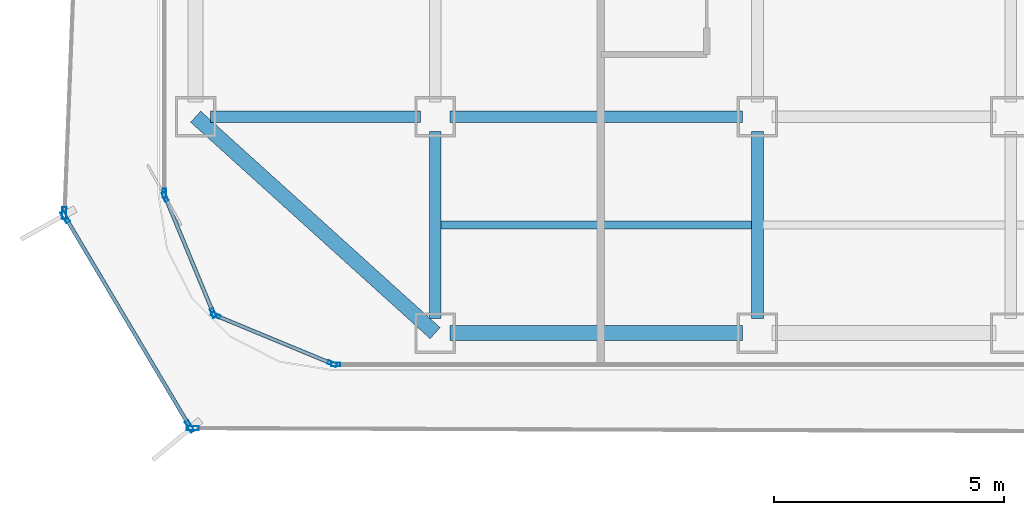
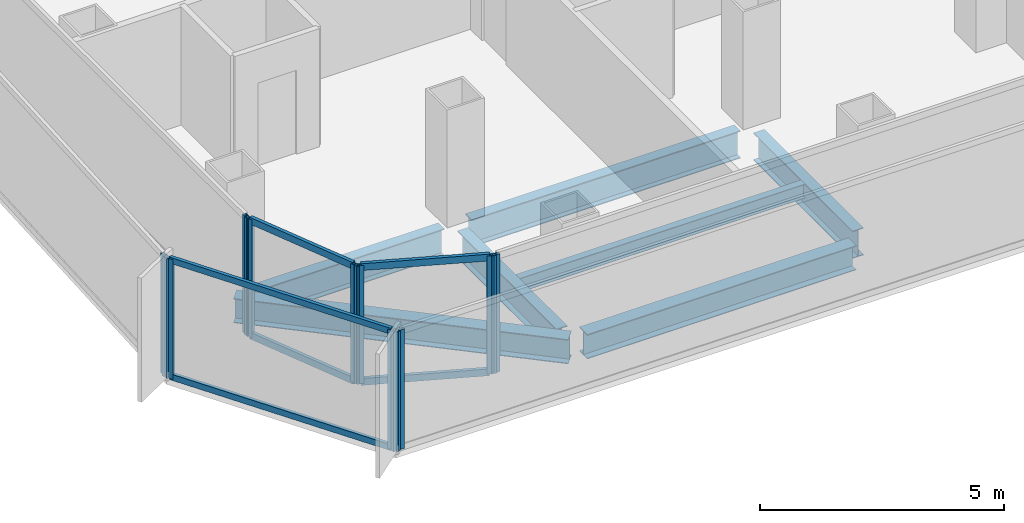
# One storey, part 2 of 21: 16 members, 7 beams, 7 elements without a shape of their own.
"""IFC4 building model written with IfcOpenShell, lengths in metres."""

from ifc_helpers import new_model, si_unit, direction, frame, origin, origin_2d, place, context, subcontext, project, spatial, hollow_rectangle, i_section, extrude, source, transform, mapped, material, layer, layer_set, material_profile, profile_set, type_object, element, aggregate, save


model = new_model("IFC4")

# Units and contexts
model_context = context("Model", 3, precision=1e-05, world=origin(), true_north=direction((0.0, 1.0)))
body_context = subcontext(model_context, "Body", "Model", "MODEL_VIEW")
ifc_project = project(units=[si_unit("LENGTHUNIT", "METRE"), si_unit("AREAUNIT", "SQUARE_METRE"), si_unit("VOLUMEUNIT", "CUBIC_METRE"), si_unit("PLANEANGLEUNIT", "RADIAN"), si_unit("MASSUNIT", "GRAM", prefix="KILO")], contexts=[model_context])

# Site, building, storey
site_placement = place(None, origin())
site = spatial("IfcSite", under=ifc_project, at=site_placement, CompositionType="ELEMENT")
building_placement = place(site_placement, origin())
building = spatial("IfcBuilding", under=site, at=building_placement, Name="Kolveth Station Tower", CompositionType="ELEMENT")
storey_placement = place(building_placement, frame((0.0, 0.0, 124.699951171875)))
storey = spatial("IfcBuildingStorey", under=building, at=storey_placement, Name="L34", CompositionType="ELEMENT", Elevation=124.699951171875)

# Beams
ifc_material_1 = material(Name="Steel S355", Category="steel")
ifc_material_profile_1 = material_profile(ifc_material_1, i_section(OverallWidth=0.323974609375, OverallDepth=0.611083984375, WebThickness=0.0126953125, FlangeThickness=0.01904296875, at=origin_2d()), Name="W610x155")
ifc_profile_set_1 = profile_set([ifc_material_profile_1], Name="Steel S355")
beam_type_1 = type_object("IfcBeamType", Name="Beam_SP2", PredefinedType="SPANDREL", material=ifc_profile_set_1)
shared_shape_1 = source(origin(), body_context, "Body", "SweptSolid", [
    extrude(i_section(OverallWidth=0.323974609375, OverallDepth=0.611083984375, WebThickness=0.0126953125, FlangeThickness=0.01904296875, at=origin_2d()), origin(), (0.0, 0.0, 1.0), 6.35986328125),
])
beam_1_placement = place(storey_placement, frame((6.320068359375, 0.800048828125, -0.555419921875), z_axis=(1.0, 0.0, 0.0), x_axis=(0.0, 1.0, 0.0)))
element("IfcBeam", 1, at=beam_1_placement, inside=storey, type_object=beam_type_1, Name="L34 Perimeter Spandrel BM-L34-PS-1", PredefinedType="SPANDREL", context=body_context, shape_type="MappedRepresentation", body=[
    mapped(shared_shape_1, transform((0.0, 0.0, 0.0), x_axis=(1.0, 0.0, 0.0), y_axis=(0.0, 1.0, 0.0), z_axis=(0.0, 0.0, 1.0), scale=1.0)),
])
shared_shape_2 = source(origin(), body_context, "Body", "SweptSolid", [
    extrude(i_section(OverallWidth=0.323974609375, OverallDepth=0.611083984375, WebThickness=0.0126953125, FlangeThickness=0.01904296875, at=origin_2d()), origin(), (0.0, 0.0, 1.0), 7.00927734375),
])
beam_2_placement = place(storey_placement, frame((0.800048828125, 5.5, -0.555419921875), z_axis=(0.741874009795, -0.670539300557, 0.0), x_axis=(0.670539300557, 0.741874009795, 0.0)))
element("IfcBeam", 2, at=beam_2_placement, inside=storey, type_object=beam_type_1, Name="L34 Corner Edge Girder BM-L34-CNR-SW", PredefinedType="SPANDREL", context=body_context, shape_type="MappedRepresentation", body=[
    mapped(shared_shape_2, transform((0.0, 0.0, 0.0), x_axis=(1.0, 0.0, 0.0), y_axis=(0.0, 1.0, 0.0), z_axis=(0.0, 0.0, 1.0), scale=1.0)),
])
ifc_material_profile_2 = material_profile(ifc_material_1, i_section(OverallWidth=0.25390625, OverallDepth=0.68798828125, WebThickness=0.01318359375, FlangeThickness=0.02099609375, at=origin_2d()), Name="W690x152")
ifc_profile_set_2 = profile_set([ifc_material_profile_2], Name="Steel S355")
beam_type_2 = type_object("IfcBeamType", Name="Beam_B4", PredefinedType="BEAM", material=ifc_profile_set_2)
shared_shape_3 = source(origin(), body_context, "Body", "SweptSolid", [
    extrude(i_section(OverallWidth=0.25390625, OverallDepth=0.68798828125, WebThickness=0.01318359375, FlangeThickness=0.02099609375, at=origin_2d()), origin(), (0.0, 0.0, 1.0), 4.559814453125),
])
beam_3_placement = place(storey_placement, frame((1.1201171875, 5.5, -0.593994140625), z_axis=(1.0, 0.0, 0.0), x_axis=(0.0, 1.0, 0.0)))
element("IfcBeam", 3, at=beam_3_placement, inside=storey, type_object=beam_type_2, Name="L34 Primary Girder BM-L34-GY55-1", PredefinedType="BEAM", context=body_context, shape_type="MappedRepresentation", body=[
    mapped(shared_shape_3, transform((0.0, 0.0, 0.0), x_axis=(1.0, 0.0, 0.0), y_axis=(0.0, 1.0, 0.0), z_axis=(0.0, 0.0, 1.0), scale=1.0)),
])
shared_shape_4 = source(origin(), body_context, "Body", "SweptSolid", [
    extrude(i_section(OverallWidth=0.25390625, OverallDepth=0.68798828125, WebThickness=0.01318359375, FlangeThickness=0.02099609375, at=origin_2d()), origin(), (0.0, 0.0, 1.0), 6.35986328125),
])
beam_4_placement = place(storey_placement, frame((6.320068359375, 5.5, -0.593994140625), z_axis=(1.0, 0.0, 0.0), x_axis=(0.0, 1.0, 0.0)))
element("IfcBeam", 4, at=beam_4_placement, inside=storey, type_object=beam_type_2, Name="L34 Primary Girder BM-L34-GY55-2", PredefinedType="BEAM", context=body_context, shape_type="MappedRepresentation", body=[
    mapped(shared_shape_4, transform((0.0, 0.0, 0.0), x_axis=(1.0, 0.0, 0.0), y_axis=(0.0, 1.0, 0.0), z_axis=(0.0, 0.0, 1.0), scale=1.0)),
])
shared_shape_5 = source(origin(), body_context, "Body", "SweptSolid", [
    extrude(i_section(OverallWidth=0.25390625, OverallDepth=0.68798828125, WebThickness=0.01318359375, FlangeThickness=0.02099609375, at=origin_2d()), origin(), (0.0, 0.0, 1.0), 4.059814453125),
])
for number, where, z_axis, x_axis, name in (
    (5, (6.0, 1.1201171875, -0.593994140625), (0.0, 1.0, 0.0), (-1.0, 0.0, 0.0), "L34 Primary Girder BM-L34-GX60-1"),
    (6, (13.0, 1.1201171875, -0.593994140625), (0.0, 1.0, 0.0), (-1.0, 0.0, 0.0), "L34 Primary Girder BM-L34-GX130-1"),
):
    element("IfcBeam", number, at=place(storey_placement, frame(where, z_axis=z_axis, x_axis=x_axis)), inside=storey, type_object=beam_type_2, Name=name, PredefinedType="BEAM", context=body_context, shape_type="MappedRepresentation", body=[
        mapped(shared_shape_5, transform((0.0, 0.0, 0.0), x_axis=(1.0, 0.0, 0.0), y_axis=(0.0, 1.0, 0.0), z_axis=(0.0, 0.0, 1.0), scale=1.0)),
    ])
ifc_material_profile_3 = material_profile(ifc_material_1, i_section(OverallWidth=0.1708984375, OverallDepth=0.35205078125, WebThickness=0.0068359375, FlangeThickness=0.009765625, at=origin_2d()), Name="W360x44")
ifc_profile_set_3 = profile_set([ifc_material_profile_3], Name="Steel S355")
beam_type_3 = type_object("IfcBeamType", Name="Beam_J2", PredefinedType="JOIST", material=ifc_profile_set_3)
shared_shape_6 = source(origin(), body_context, "Body", "SweptSolid", [
    extrude(i_section(OverallWidth=0.1708984375, OverallDepth=0.35205078125, WebThickness=0.0068359375, FlangeThickness=0.009765625, at=origin_2d()), origin(), (0.0, 0.0, 1.0), 6.75),
])
beam_5_placement = place(storey_placement, frame((6.125, 3.14990234375, -0.426025390625), z_axis=(1.0, 0.0, 0.0), x_axis=(0.0, 1.0, 0.0)))
element("IfcBeam", 7, at=beam_5_placement, inside=storey, type_object=beam_type_3, Name="L34 Secondary Joist JST-L34-2-1", PredefinedType="JOIST", context=body_context, shape_type="MappedRepresentation", body=[
    mapped(shared_shape_6, transform((0.0, 0.0, 0.0), x_axis=(1.0, 0.0, 0.0), y_axis=(0.0, 1.0, 0.0), z_axis=(0.0, 0.0, 1.0), scale=1.0)),
])

# Curtain wall, member
ifc_material_2 = material(Name="Aluminium 6063-T6 and low-E dark glass", Category="aluminium")
ifc_layer_1 = layer(ifc_material_2, 0.18994140625)
ifc_layer_set_1 = layer_set([ifc_layer_1], Name="Aluminium 6063-T6 and low-E dark glass")
curtain_wall_type_1 = type_object("IfcCurtainWallType", Name="CurtainWall_CW-Z2", PredefinedType="NOTDEFINED", material=ifc_layer_set_1)
curtain_wall_1_placement = place(storey_placement, origin())
curtain_wall_1 = element("IfcCurtainWall", 8, at=curtain_wall_1_placement, inside=storey, type_object=curtain_wall_type_1, Name="L34 Inner Thermal Curtain Wall 9", PredefinedType="NOTDEFINED")
ifc_material_3 = material(Name="Black anodized aluminium 6063-T6", Category="aluminium")
ifc_material_profile_4 = material_profile(ifc_material_3, hollow_rectangle(XDim=0.080078125, YDim=0.199951171875, WallThickness=0.0048828125, at=origin_2d()), Name="ALU-80x200x5")
ifc_profile_set_4 = profile_set([ifc_material_profile_4], Name="Black anodized aluminium 6063-T6")
member_type_1 = type_object("IfcMemberType", Name="Mullion_ML2", PredefinedType="MULLION", material=ifc_profile_set_4)
shared_shape_7 = source(origin(), body_context, "Body", "SweptSolid", [
    extrude(hollow_rectangle(XDim=0.080078125, YDim=0.199951171875, WallThickness=0.0048828125, at=origin_2d()), origin(), (0.0, 0.0, 1.0), 2.949951171875),
])
member_1_placement = place(storey_placement, frame((0.1201171875, 3.840087890625, 0.0), z_axis=(0.0, 0.0, 1.0), x_axis=(1.0, 0.0, 0.0)))
member_1 = element("IfcMember", 9, at=member_1_placement, type_object=member_type_1, Name="CW-Z2 mullion 2", PredefinedType="MULLION", context=body_context, shape_type="MappedRepresentation", body=[
    mapped(shared_shape_7, transform((0.0, 0.0, 0.0), x_axis=(1.0, 0.0, 0.0), y_axis=(0.0, 1.0, 0.0), z_axis=(0.0, 0.0, 1.0), scale=1.0)),
])
aggregate(curtain_wall_1, [member_1])

# Curtain wall, members
curtain_wall_2_placement = place(storey_placement, origin())
curtain_wall_2 = element("IfcCurtainWall", 10, at=curtain_wall_2_placement, inside=storey, type_object=curtain_wall_type_1, Name="L34 Inner Thermal Curtain Wall 10", PredefinedType="NOTDEFINED")
member_2_placement = place(storey_placement, frame((0.13525390625, 3.762939453125, 0.0), z_axis=(0.0, 0.0, 1.0), x_axis=(0.923887883787, 0.38266326998, 0.0)))
member_2 = element("IfcMember", 11, at=member_2_placement, type_object=member_type_1, Name="CW-Z2 mullion 1", PredefinedType="MULLION", context=body_context, shape_type="MappedRepresentation", body=[
    mapped(shared_shape_7, transform((0.0, 0.0, 0.0), x_axis=(1.0, 0.0, 0.0), y_axis=(0.0, 1.0, 0.0), z_axis=(0.0, 0.0, 1.0), scale=1.0)),
])
member_3_placement = place(storey_placement, frame((1.182373046875, 1.23486328125, 0.0), z_axis=(0.0, 0.0, 1.0), x_axis=(0.923887883787, 0.38266326998, 0.0)))
member_3 = element("IfcMember", 12, at=member_3_placement, type_object=member_type_1, Name="CW-Z2 mullion 2", PredefinedType="MULLION", context=body_context, shape_type="MappedRepresentation", body=[
    mapped(shared_shape_7, transform((0.0, 0.0, 0.0), x_axis=(1.0, 0.0, 0.0), y_axis=(0.0, 1.0, 0.0), z_axis=(0.0, 0.0, 1.0), scale=1.0)),
])

curtain_wall_3_placement = place(storey_placement, origin())
curtain_wall_3 = element("IfcCurtainWall", 13, at=curtain_wall_3_placement, inside=storey, type_object=curtain_wall_type_1, Name="L34 Inner Thermal Curtain Wall 11", PredefinedType="NOTDEFINED")
member_4_placement = place(storey_placement, frame((1.23486328125, 1.182373046875, 0.0), z_axis=(0.0, 0.0, 1.0), x_axis=(0.38266326998, 0.923887883787, 0.0)))
member_4 = element("IfcMember", 14, at=member_4_placement, type_object=member_type_1, Name="CW-Z2 mullion 1", PredefinedType="MULLION", context=body_context, shape_type="MappedRepresentation", body=[
    mapped(shared_shape_7, transform((0.0, 0.0, 0.0), x_axis=(1.0, 0.0, 0.0), y_axis=(0.0, 1.0, 0.0), z_axis=(0.0, 0.0, 1.0), scale=1.0)),
])
member_5_placement = place(storey_placement, frame((3.762939453125, 0.13525390625, 0.0), z_axis=(0.0, 0.0, 1.0), x_axis=(0.38266326998, 0.923887883787, 0.0)))
member_5 = element("IfcMember", 15, at=member_5_placement, type_object=member_type_1, Name="CW-Z2 mullion 2", PredefinedType="MULLION", context=body_context, shape_type="MappedRepresentation", body=[
    mapped(shared_shape_7, transform((0.0, 0.0, 0.0), x_axis=(1.0, 0.0, 0.0), y_axis=(0.0, 1.0, 0.0), z_axis=(0.0, 0.0, 1.0), scale=1.0)),
])

# Curtain wall, member
curtain_wall_4_placement = place(storey_placement, origin())
curtain_wall_4 = element("IfcCurtainWall", 16, at=curtain_wall_4_placement, inside=storey, type_object=curtain_wall_type_1, Name="L34 Inner Thermal Curtain Wall 12", PredefinedType="NOTDEFINED")
member_6_placement = place(storey_placement, frame((3.840087890625, 0.1201171875, 0.0), z_axis=(0.0, 0.0, 1.0), x_axis=(0.0, 1.0, 0.0)))
member_6 = element("IfcMember", 17, at=member_6_placement, type_object=member_type_1, Name="CW-Z2 mullion 1", PredefinedType="MULLION", context=body_context, shape_type="MappedRepresentation", body=[
    mapped(shared_shape_7, transform((0.0, 0.0, 0.0), x_axis=(1.0, 0.0, 0.0), y_axis=(0.0, 1.0, 0.0), z_axis=(0.0, 0.0, 1.0), scale=1.0)),
])
aggregate(curtain_wall_4, [member_6])

# Member
ifc_material_profile_5 = material_profile(ifc_material_3, hollow_rectangle(XDim=0.080078125, YDim=0.169921875, WallThickness=0.0048828125, at=origin_2d()), Name="ALU-80x170x5")
ifc_profile_set_5 = profile_set([ifc_material_profile_5], Name="Black anodized aluminium 6063-T6")
member_type_2 = type_object("IfcMemberType", Name="Transom_TR2", PredefinedType="USERDEFINED", material=ifc_profile_set_5)
shared_shape_8 = source(origin(), body_context, "Body", "SweptSolid", [
    extrude(hollow_rectangle(XDim=0.080078125, YDim=0.169921875, WallThickness=0.0048828125, at=origin_2d()), origin(), (0.0, 0.0, 1.0), 2.656494140625),
])
member_7_placement = place(storey_placement, frame((0.150634765625, 3.72607421875, 0.0400390625), z_axis=(0.382676455475, -0.923882422403, 0.0), x_axis=(0.923882422403, 0.382676455475, 0.0)))
member_7 = element("IfcMember", 18, at=member_7_placement, type_object=member_type_2, Name="CW-Z2 transom 1.1", ObjectType="TRANSOM", PredefinedType="USERDEFINED", context=body_context, shape_type="MappedRepresentation", body=[
    mapped(shared_shape_8, transform((0.0, 0.0, 0.0), x_axis=(1.0, 0.0, 0.0), y_axis=(0.0, 1.0, 0.0), z_axis=(0.0, 0.0, 1.0), scale=1.0)),
])

member_8_placement = place(storey_placement, frame((0.150634765625, 3.72607421875, 2.91015625), z_axis=(0.382676455475, -0.923882422403, 0.0), x_axis=(0.923882422403, 0.382676455475, 0.0)))
member_8 = element("IfcMember", 19, at=member_8_placement, type_object=member_type_2, Name="CW-Z2 transom 1.2", ObjectType="TRANSOM", PredefinedType="USERDEFINED", context=body_context, shape_type="MappedRepresentation", body=[
    mapped(shared_shape_8, transform((0.0, 0.0, 0.0), x_axis=(1.0, 0.0, 0.0), y_axis=(0.0, 1.0, 0.0), z_axis=(0.0, 0.0, 1.0), scale=1.0)),
])

aggregate(curtain_wall_2, [member_2, member_3, member_7, member_8])

member_9_placement = place(storey_placement, frame((1.271728515625, 1.167236328125, 0.0400390625), z_axis=(0.923882422403, -0.382676455475, 0.0), x_axis=(0.382676455475, 0.923882422403, 0.0)))
member_9 = element("IfcMember", 20, at=member_9_placement, type_object=member_type_2, Name="CW-Z2 transom 1.1", ObjectType="TRANSOM", PredefinedType="USERDEFINED", context=body_context, shape_type="MappedRepresentation", body=[
    mapped(shared_shape_8, transform((0.0, 0.0, 0.0), x_axis=(1.0, 0.0, 0.0), y_axis=(0.0, 1.0, 0.0), z_axis=(0.0, 0.0, 1.0), scale=1.0)),
])

member_10_placement = place(storey_placement, frame((1.271728515625, 1.167236328125, 2.91015625), z_axis=(0.923882422403, -0.382676455475, 0.0), x_axis=(0.382676455475, 0.923882422403, 0.0)))
member_10 = element("IfcMember", 21, at=member_10_placement, type_object=member_type_2, Name="CW-Z2 transom 1.2", ObjectType="TRANSOM", PredefinedType="USERDEFINED", context=body_context, shape_type="MappedRepresentation", body=[
    mapped(shared_shape_8, transform((0.0, 0.0, 0.0), x_axis=(1.0, 0.0, 0.0), y_axis=(0.0, 1.0, 0.0), z_axis=(0.0, 0.0, 1.0), scale=1.0)),
])

aggregate(curtain_wall_3, [member_4, member_5, member_9, member_10])

# Curtain wall, member
ifc_material_4 = material(Name="Black anodized aluminium 6063-T6 and dark solar glass", Category="aluminium")
ifc_layer_2 = layer(ifc_material_4, 0.159912109375)
ifc_layer_set_2 = layer_set([ifc_layer_2], Name="Black anodized aluminium 6063-T6 and dark solar glass")
curtain_wall_type_2 = type_object("IfcCurtainWallType", Name="OUTER SKIN CW-OS", PredefinedType="NOTDEFINED", material=ifc_layer_set_2)
curtain_wall_5_placement = place(storey_placement, origin())
curtain_wall_5 = element("IfcCurtainWall", 22, at=curtain_wall_5_placement, inside=storey, type_object=curtain_wall_type_2, Name="L34 Outer Ventilated Skin Curtain Wall 6", PredefinedType="NOTDEFINED")
ifc_material_profile_6 = material_profile(ifc_material_3, hollow_rectangle(XDim=0.090087890625, YDim=0.260009765625, WallThickness=0.0048828125, at=origin_2d()), Name="ALU-90x260x5")
ifc_profile_set_6 = profile_set([ifc_material_profile_6], Name="Black anodized aluminium 6063-T6")
member_type_3 = type_object("IfcMemberType", Name="FIN MULLION ML-OS", PredefinedType="MULLION", material=ifc_profile_set_6)
shared_shape_9 = source(origin(), body_context, "Body", "SweptSolid", [
    extrude(hollow_rectangle(XDim=0.090087890625, YDim=0.260009765625, WallThickness=0.0048828125, at=origin_2d()), origin(), (0.0, 0.0, 1.0), 2.989990234375),
])
member_11_placement = place(storey_placement, frame((-2.0537109375, 3.406494140625, 0.0), z_axis=(0.0, 0.0, 1.0), x_axis=(0.999225657651, -0.039345712495, 0.0)))
member_11 = element("IfcMember", 23, at=member_11_placement, type_object=member_type_3, Name="CW-OS mullion 2", PredefinedType="MULLION", context=body_context, shape_type="MappedRepresentation", body=[
    mapped(shared_shape_9, transform((0.0, 0.0, 0.0), x_axis=(1.0, 0.0, 0.0), y_axis=(0.0, 1.0, 0.0), z_axis=(0.0, 0.0, 1.0), scale=1.0)),
])
aggregate(curtain_wall_5, [member_11])

# Curtain wall, members
curtain_wall_6_placement = place(storey_placement, origin())
curtain_wall_6 = element("IfcCurtainWall", 24, at=curtain_wall_6_placement, inside=storey, type_object=curtain_wall_type_2, Name="L34 Outer Ventilated Skin Curtain Wall 7", PredefinedType="NOTDEFINED")
member_12_placement = place(storey_placement, frame((-2.03271484375, 3.32275390625, 0.0), z_axis=(0.0, 0.0, 1.0), x_axis=(0.859743114865, 0.510726714047, 0.0)))
member_12 = element("IfcMember", 25, at=member_12_placement, type_object=member_type_3, Name="CW-OS mullion 1", PredefinedType="MULLION", context=body_context, shape_type="MappedRepresentation", body=[
    mapped(shared_shape_9, transform((0.0, 0.0, 0.0), x_axis=(1.0, 0.0, 0.0), y_axis=(0.0, 1.0, 0.0), z_axis=(0.0, 0.0, 1.0), scale=1.0)),
])
member_13_placement = place(storey_placement, frame((0.6708984375, -1.228515625, 0.0), z_axis=(0.0, 0.0, 1.0), x_axis=(0.859743114865, 0.510726714047, 0.0)))
member_13 = element("IfcMember", 26, at=member_13_placement, type_object=member_type_3, Name="CW-OS mullion 2", PredefinedType="MULLION", context=body_context, shape_type="MappedRepresentation", body=[
    mapped(shared_shape_9, transform((0.0, 0.0, 0.0), x_axis=(1.0, 0.0, 0.0), y_axis=(0.0, 1.0, 0.0), z_axis=(0.0, 0.0, 1.0), scale=1.0)),
])

# Curtain wall, member
curtain_wall_7_placement = place(storey_placement, origin())
curtain_wall_7 = element("IfcCurtainWall", 27, at=curtain_wall_7_placement, inside=storey, type_object=curtain_wall_type_2, Name="L34 Outer Ventilated Skin Curtain Wall 8", PredefinedType="NOTDEFINED")
member_14_placement = place(storey_placement, frame((0.739013671875, -1.267333984375, 0.0), z_axis=(0.0, 0.0, 1.0), x_axis=(0.003434239047, 0.999994102984, 0.0)))
member_14 = element("IfcMember", 28, at=member_14_placement, type_object=member_type_3, Name="CW-OS mullion 1", PredefinedType="MULLION", context=body_context, shape_type="MappedRepresentation", body=[
    mapped(shared_shape_9, transform((0.0, 0.0, 0.0), x_axis=(1.0, 0.0, 0.0), y_axis=(0.0, 1.0, 0.0), z_axis=(0.0, 0.0, 1.0), scale=1.0)),
])
aggregate(curtain_wall_7, [member_14])

# Member
ifc_material_profile_7 = material_profile(ifc_material_3, hollow_rectangle(XDim=0.080078125, YDim=0.14990234375, WallThickness=0.0048828125, at=origin_2d()), Name="ALU-80x150x5")
ifc_profile_set_7 = profile_set([ifc_material_profile_7], Name="Black anodized aluminium 6063-T6")
member_type_4 = type_object("IfcMemberType", Name="Transom_TR-OS", PredefinedType="USERDEFINED", material=ifc_profile_set_7)
shared_shape_10 = source(origin(), body_context, "Body", "SweptSolid", [
    extrude(hollow_rectangle(XDim=0.080078125, YDim=0.14990234375, WallThickness=0.0048828125, at=origin_2d()), origin(), (0.0, 0.0, 1.0), 5.20361328125),
])
member_15_placement = place(storey_placement, frame((-2.009521484375, 3.2841796875, 0.0400390625), z_axis=(0.510695927393, -0.8597614028, 0.0), x_axis=(0.8597614028, 0.510695927393, 0.0)))
member_15 = element("IfcMember", 29, at=member_15_placement, type_object=member_type_4, Name="CW-OS transom 1.1", ObjectType="TRANSOM", PredefinedType="USERDEFINED", context=body_context, shape_type="MappedRepresentation", body=[
    mapped(shared_shape_10, transform((0.0, 0.0, 0.0), x_axis=(1.0, 0.0, 0.0), y_axis=(0.0, 1.0, 0.0), z_axis=(0.0, 0.0, 1.0), scale=1.0)),
])

member_16_placement = place(storey_placement, frame((-2.009521484375, 3.2841796875, 2.949951171875), z_axis=(0.510695927393, -0.8597614028, 0.0), x_axis=(0.8597614028, 0.510695927393, 0.0)))
member_16 = element("IfcMember", 30, at=member_16_placement, type_object=member_type_4, Name="CW-OS transom 1.2", ObjectType="TRANSOM", PredefinedType="USERDEFINED", context=body_context, shape_type="MappedRepresentation", body=[
    mapped(shared_shape_10, transform((0.0, 0.0, 0.0), x_axis=(1.0, 0.0, 0.0), y_axis=(0.0, 1.0, 0.0), z_axis=(0.0, 0.0, 1.0), scale=1.0)),
])

aggregate(curtain_wall_6, [member_12, member_13, member_15, member_16])

save(model, "model.ifc")
